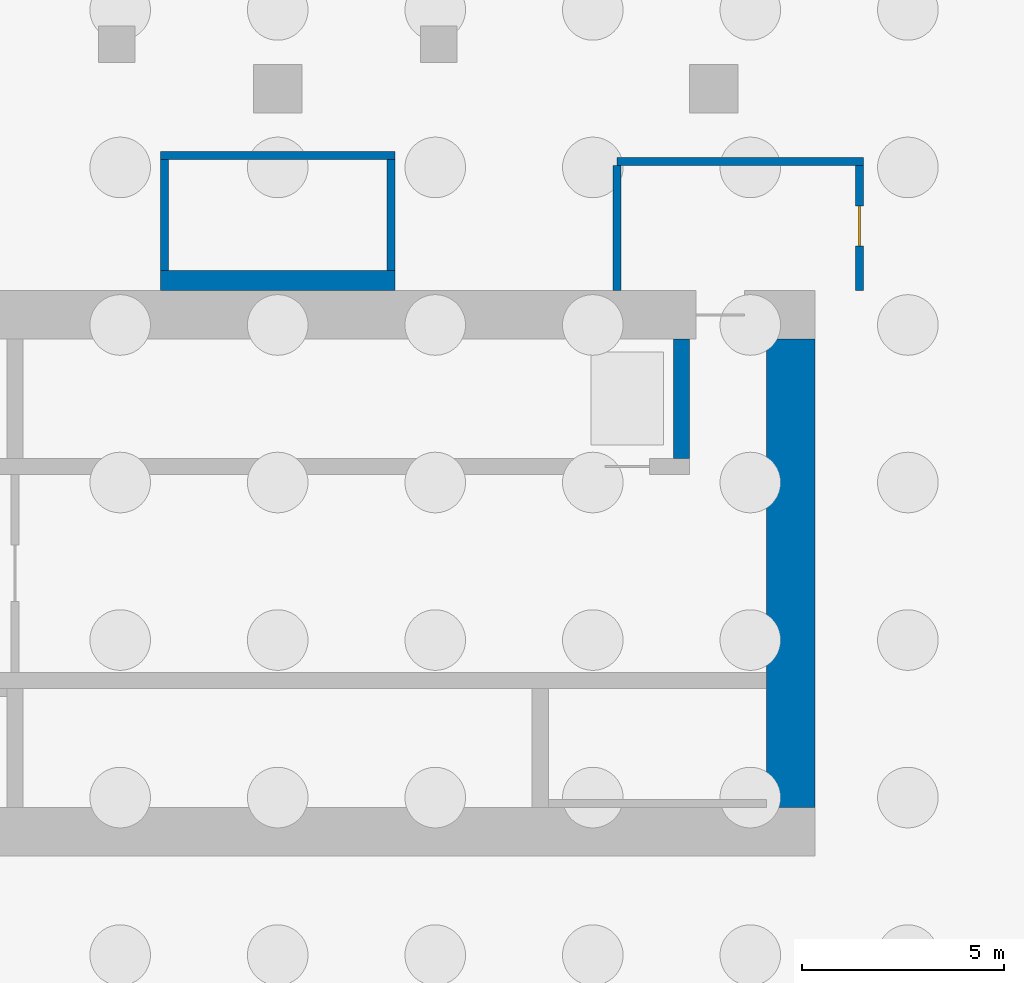
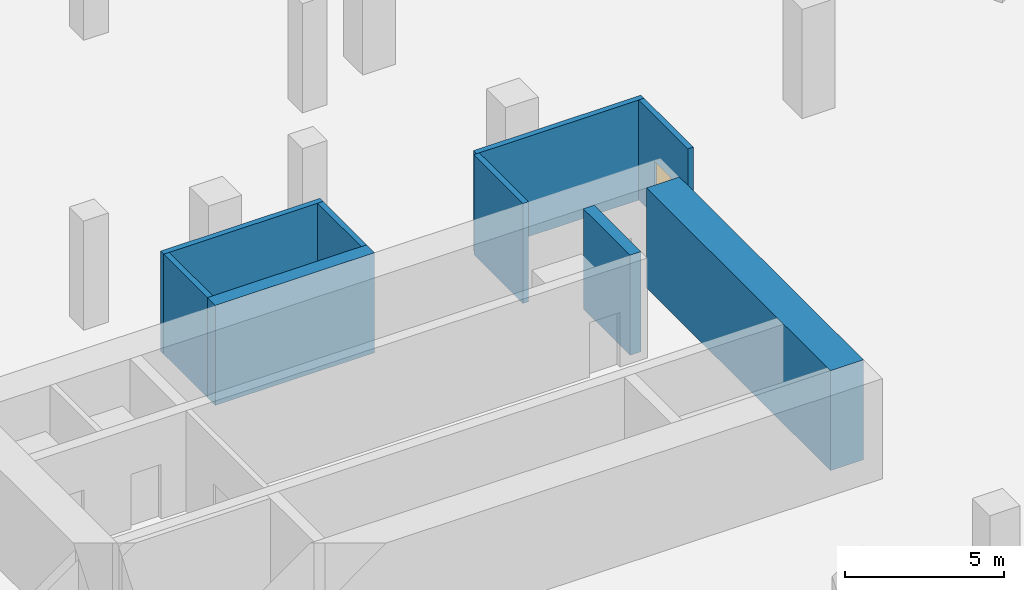
# One storey, part 6 of 21: 9 walls, 1 door, 1 opening.
"""IFC4 building model written with IfcOpenShell, lengths in metres."""

from ifc_helpers import new_model, si_unit, direction, frame, frame_2d, origin, place, context, subcontext, project, spatial, rectangle, extrude, material, layer, layer_set, type_object, element, fill, save


model = new_model("IFC4")

# Units and contexts
model_context = context("Model", 3, precision=1e-05, world=origin(), true_north=direction((0.0, 1.0)))
body_context = subcontext(model_context, "Body", "Model", "MODEL_VIEW")
ifc_project = project(units=[si_unit("LENGTHUNIT", "METRE"), si_unit("AREAUNIT", "SQUARE_METRE"), si_unit("VOLUMEUNIT", "CUBIC_METRE"), si_unit("PLANEANGLEUNIT", "RADIAN"), si_unit("MASSUNIT", "GRAM", prefix="KILO")], contexts=[model_context])

# Site, building, storey
site_placement = place(None, origin())
site = spatial("IfcSite", under=ifc_project, at=site_placement, CompositionType="ELEMENT")
building_placement = place(site_placement, origin())
building = spatial("IfcBuilding", under=site, at=building_placement, Name="Beryl Residences", CompositionType="ELEMENT")
storey_placement = place(building_placement, frame((0.0, 0.0, -8.39990234375)))
storey = spatial("IfcBuildingStorey", under=building, at=storey_placement, Name="B2", CompositionType="ELEMENT", Elevation=-8.39990234375)

# Walls
ifc_material_1 = material(Name="Double stud gypsum board wall")
ifc_layer_1 = layer(ifc_material_1, 0.199951171875)
ifc_layer_set_1 = layer_set([ifc_layer_1], Name="PT4 corridor wall 200 mm double stud")
wall_type_1 = type_object("IfcWallType", Name="PT4 corridor wall 200 mm double stud", PredefinedType="PARTITIONING", material=ifc_layer_set_1)
wall_1_placement = place(storey_placement, frame((8.39990234375, -1.800048828125, 0.0), z_axis=(0.0, 0.0, 1.0), x_axis=(1.0, 0.0, 0.0)))
element("IfcWall", 1, at=wall_1_placement, inside=storey, type_object=wall_type_1, Name="Wall PT4 B2 001", PredefinedType="PARTITIONING", context=body_context, shape_type="SweptSolid", body=[
    extrude(rectangle(XDim=6.10009765625, YDim=0.199951171875, at=frame_2d((3.050048828125, 0.0))), origin(), (0.0, 0.0, 1.0), 3.849853515625),
])
wall_2_placement = place(storey_placement, frame((8.39990234375, -5.0, 0.0), z_axis=(0.0, 0.0, 1.0), x_axis=(0.0, 1.0, 0.0)))
element("IfcWall", 2, at=wall_2_placement, inside=storey, type_object=wall_type_1, Name="Wall PT4 B2 002", PredefinedType="PARTITIONING", context=body_context, shape_type="SweptSolid", body=[
    extrude(rectangle(XDim=3.10009765625, YDim=0.199951171875, at=frame_2d((1.550048828125, 0.0))), origin(), (0.0, 0.0, 1.0), 3.849853515625),
])

# Wall, opening, door
wall_3_placement = place(storey_placement, frame((14.39990234375, -5.0, 0.0), z_axis=(0.0, 0.0, 1.0), x_axis=(0.0, 1.0, 0.0)))
wall_3 = element("IfcWall", 3, at=wall_3_placement, inside=storey, type_object=wall_type_1, Name="Wall PT4 B2 003", PredefinedType="PARTITIONING", context=body_context, shape_type="SweptSolid", body=[
    extrude(rectangle(XDim=3.10009765625, YDim=0.199951171875, at=frame_2d((1.550048828125, 0.0))), origin(), (0.0, 0.0, 1.0), 3.849853515625),
])
opening_placement = place(wall_3_placement, frame((2.10009765625, 0.0, 0.0), z_axis=(0.0, 0.0, 1.0), x_axis=(-1.0, 0.0, 0.0)))
opening = element("IfcOpeningElement", 4, at=opening_placement, cuts=wall_3, Name="Opening B2-07", PredefinedType="OPENING", context=body_context, shape_type="SweptSolid", body=[
    extrude(rectangle(XDim=1.0, YDim=2.10009765625, at=frame_2d((0.5, 1.050048828125))), frame((0.0, 0.10986328125, 0.0), z_axis=(0.0, -1.0, 0.0), x_axis=(1.0, 0.0, 0.0)), (0.0, 0.0, 1.0), 0.219970703125),
])
ifc_material_2 = material(Name="Timber door leaf", Category="wood")
door_type = type_object("IfcDoorType", Name="D9 corridor door 1000 x 2100 mm", OperationType="SINGLE_SWING_LEFT", PredefinedType="DOOR", material=ifc_material_2)
door_placement = place(opening_placement, origin())
door = element("IfcDoor", 5, at=door_placement, inside=storey, type_object=door_type, Name="Door B2-07 B2 001", OperationType="SINGLE_SWING_RIGHT", OverallHeight=2.10009765625, OverallWidth=1.0, PredefinedType="DOOR", context=body_context, shape_type="SweptSolid", body=[
    extrude(rectangle(XDim=1.0, YDim=2.10009765625, at=frame_2d((0.5, 1.050048828125))), frame((0.0, 0.02490234375, 0.0), z_axis=(0.0, -1.0, 0.0), x_axis=(1.0, 0.0, 0.0)), (0.0, 0.0, 1.0), 0.050048828125),
])
fill(opening, door)

# Walls
ifc_material_3 = material(Name="Concrete C40/50", Category="concrete")
ifc_layer_2 = layer(ifc_material_3, 0.199951171875)
ifc_layer_set_2 = layer_set([ifc_layer_2], Name="PT5 stair enclosure wall 200 mm reinforced concrete C40/50")
wall_type_2 = type_object("IfcWallType", Name="PT5 stair enclosure wall 200 mm reinforced concrete C40/50", PredefinedType="SOLIDWALL", material=ifc_layer_set_2)
wall_4_placement = place(storey_placement, frame((-2.89990234375, -1.64990234375, 0.0), z_axis=(0.0, 0.0, 1.0), x_axis=(1.0, 0.0, 0.0)))
element("IfcWall", 6, at=wall_4_placement, inside=storey, type_object=wall_type_2, Name="Wall PT5 B2 016", PredefinedType="SOLIDWALL", context=body_context, shape_type="SweptSolid", body=[
    extrude(rectangle(XDim=5.7998046875, YDim=0.199951171875, at=frame_2d((2.89990234375, 0.0))), origin(), (0.0, 0.0, 1.0), 3.849853515625),
])
for number, where, z_axis, x_axis, name in (
    (7, (-2.800048828125, -4.5, 0.0), (0.0, 0.0, 1.0), (0.0, 1.0, 0.0), "Wall PT5 B2 017"),
    (8, (2.800048828125, -4.5, 0.0), (0.0, 0.0, 1.0), (0.0, 1.0, 0.0), "Wall PT5 B2 018"),
):
    element("IfcWall", number, at=place(storey_placement, frame(where, z_axis=z_axis, x_axis=x_axis)), inside=storey, type_object=wall_type_2, Name=name, PredefinedType="SOLIDWALL", context=body_context, shape_type="SweptSolid", body=[
        extrude(rectangle(XDim=2.75, YDim=0.199951171875, at=frame_2d((1.375, 0.0))), origin(), (0.0, 0.0, 1.0), 3.849853515625),
    ])
ifc_material_4 = material(Name="Concrete C40/50", Category="concrete")
ifc_layer_3 = layer(ifc_material_4, 0.5)
ifc_layer_set_3 = layer_set([ifc_layer_3], Name="PT5-500 stair enclosure wall 500 mm")
wall_type_3 = type_object("IfcWallType", Name="PT5-500 stair enclosure wall 500 mm", PredefinedType="SOLIDWALL", material=ifc_layer_set_3)
wall_5_placement = place(storey_placement, frame((-2.89990234375, -4.75, 0.0), z_axis=(0.0, 0.0, 1.0), x_axis=(1.0, 0.0, 0.0)))
element("IfcWall", 9, at=wall_5_placement, inside=storey, type_object=wall_type_3, Name="Wall PT5-500 B2 001", PredefinedType="SOLIDWALL", context=body_context, shape_type="SweptSolid", body=[
    extrude(rectangle(XDim=5.7998046875, YDim=0.5, at=frame_2d((2.89990234375, 0.0))), origin(), (0.0, 0.0, 1.0), 3.849853515625),
])
ifc_material_5 = material(Name="Concrete C80/95", Category="concrete")
ifc_layer_4 = layer(ifc_material_5, 1.199951171875)
ifc_layer_set_4 = layer_set([ifc_layer_4], Name="SW1 core outer wall 1200 mm C80/95")
wall_type_4 = type_object("IfcWallType", Name="SW1 core outer wall 1200 mm C80/95", PredefinedType="SHEAR", material=ifc_layer_set_4)
wall_6_placement = place(storey_placement, frame((12.699951171875, -17.800048828125, 0.0), z_axis=(0.0, 0.0, 1.0), x_axis=(0.0, 1.0, 0.0)))
element("IfcWall", 10, at=wall_6_placement, inside=storey, type_object=wall_type_4, Name="Core wall E B2", PredefinedType="SHEAR", context=body_context, shape_type="SweptSolid", body=[
    extrude(rectangle(XDim=11.60009765625, YDim=1.199951171875, at=frame_2d((5.800048828125, 0.0))), origin(), (0.0, 0.0, 1.0), 3.849853515625),
])
ifc_material_6 = material(Name="Concrete C80/95", Category="concrete")
ifc_layer_5 = layer(ifc_material_6, 0.39990234375)
ifc_layer_set_5 = layer_set([ifc_layer_5], Name="SW6 core internal wall 400 mm C80/95")
wall_type_5 = type_object("IfcWallType", Name="SW6 core internal wall 400 mm C80/95", PredefinedType="SHEAR", material=ifc_layer_set_5)
wall_7_placement = place(storey_placement, frame((10.0, -9.14990234375, 0.0), z_axis=(0.0, 0.0, 1.0), x_axis=(0.0, 1.0, 0.0)))
element("IfcWall", 11, at=wall_7_placement, inside=storey, type_object=wall_type_5, Name="Core wall XN2 B2", PredefinedType="SHEAR", context=body_context, shape_type="SweptSolid", body=[
    extrude(rectangle(XDim=2.949951171875, YDim=0.39990234375, at=frame_2d((1.47509765625, 0.0))), origin(), (0.0, 0.0, 1.0), 3.849853515625),
])

save(model, "model.ifc")
